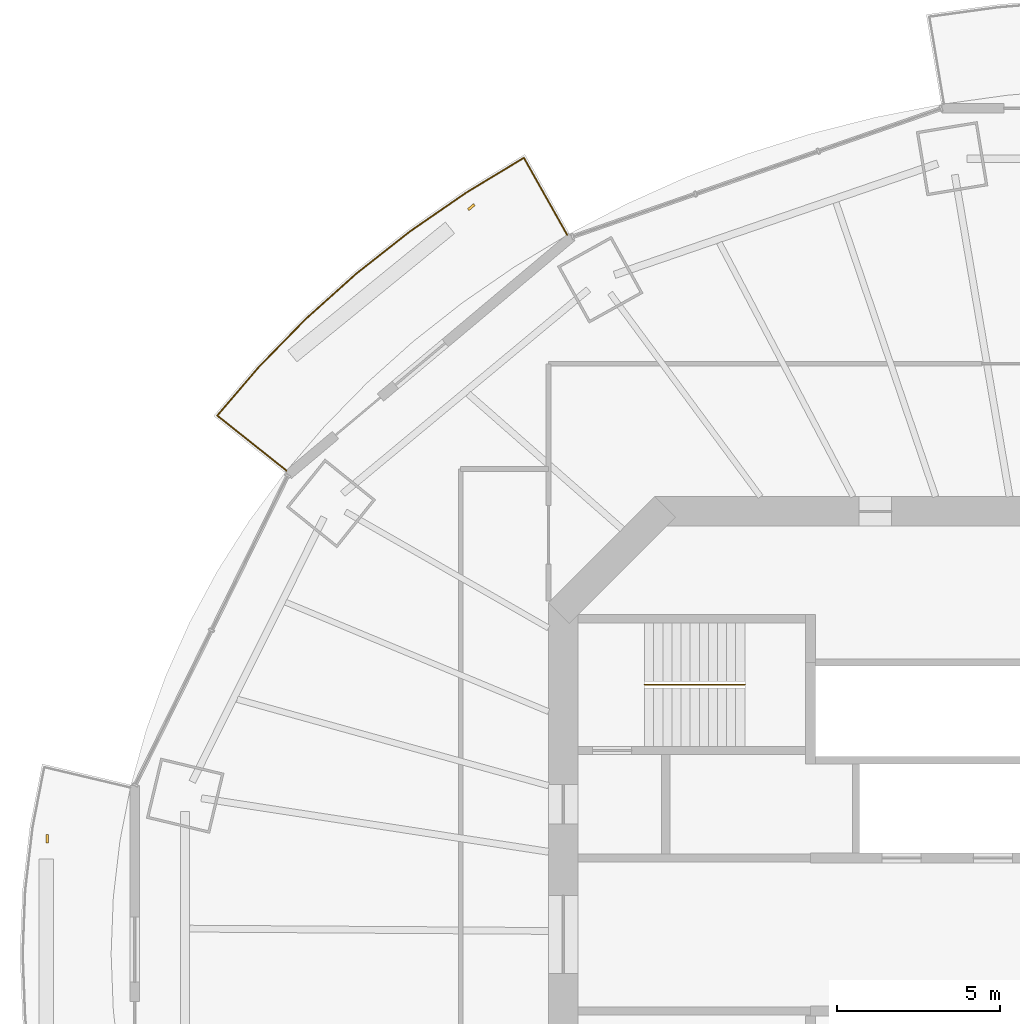
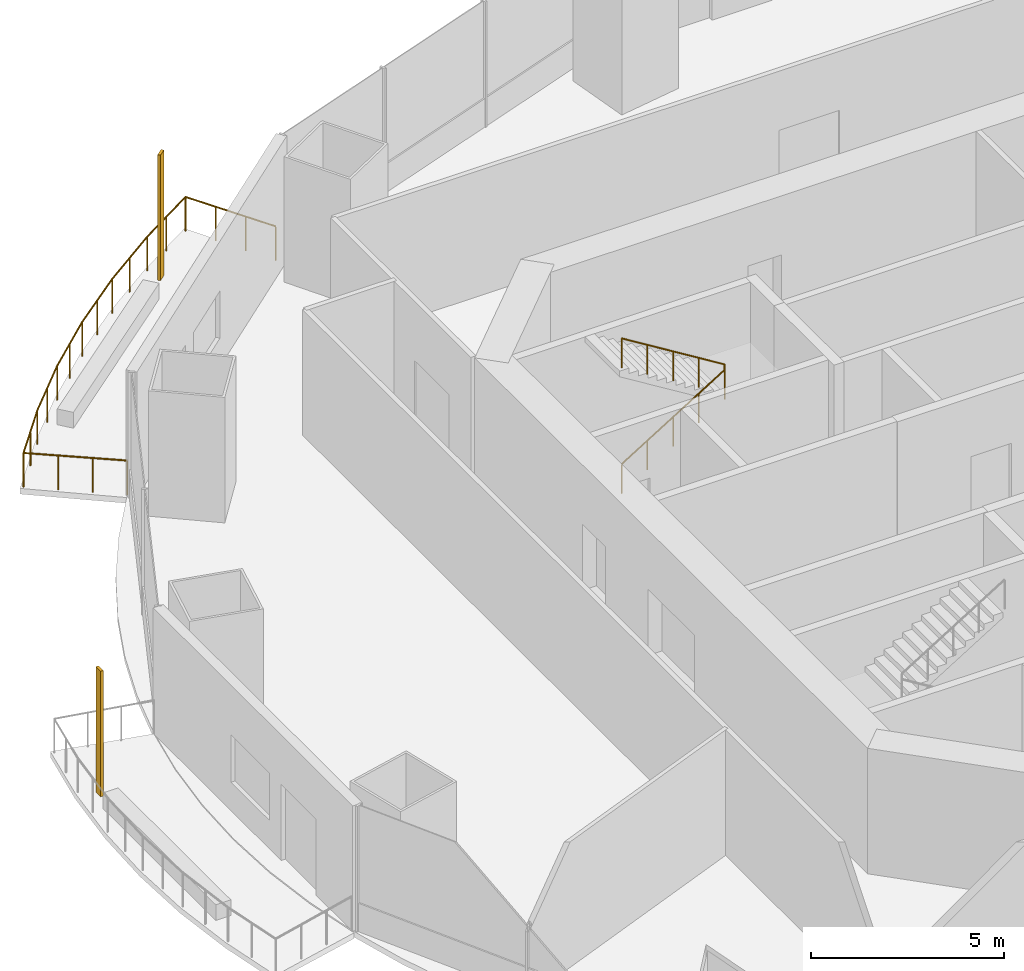
# One storey, part 18 of 21: 2 railings, 2 shading devices.
"""IFC4 building model written with IfcOpenShell, lengths in metres."""

from ifc_helpers import new_model, si_unit, direction, frame, origin, origin_2d, place, context, subcontext, project, spatial, rectangle, circle, extrude, material, material_profile, profile_set, type_object, element, save


model = new_model("IFC4")

# Units and contexts
model_context = context("Model", 3, precision=1e-05, world=origin(), true_north=direction((0.0, 1.0)))
body_context = subcontext(model_context, "Body", "Model", "MODEL_VIEW")
ifc_project = project(units=[si_unit("LENGTHUNIT", "METRE"), si_unit("AREAUNIT", "SQUARE_METRE"), si_unit("VOLUMEUNIT", "CUBIC_METRE"), si_unit("PLANEANGLEUNIT", "RADIAN"), si_unit("MASSUNIT", "GRAM", prefix="KILO")], contexts=[model_context])

# Site, building, storey
site_placement = place(None, origin())
site = spatial("IfcSite", under=ifc_project, at=site_placement, CompositionType="ELEMENT")
building_placement = place(site_placement, origin())
building = spatial("IfcBuilding", under=site, at=building_placement, Name="Marenthal Gate Tower", CompositionType="ELEMENT")
storey_placement = place(building_placement, frame((0.0, 0.0, 206.699951171875)))
storey = spatial("IfcBuildingStorey", under=building, at=storey_placement, Name="L45", CompositionType="ELEMENT", Elevation=206.699951171875)

# Railings
ifc_material_1 = material(Name="Stainless steel", Category="steel")
railing_type_1 = type_object("IfcRailingType", Name="Balcony guard 1100", PredefinedType="GUARDRAIL", material=ifc_material_1)
railing_1_placement = place(storey_placement, frame((-24.5009765625, 14.2490234375, 0.0)))
element("IfcRailing", 1, at=railing_1_placement, inside=storey, type_object=railing_type_1, Name="Balcony guard L45 bay 6", PredefinedType="GUARDRAIL", context=body_context, shape_type="SweptSolid", body=[
    extrude(circle(Radius=0.02392578125, at=origin_2d()), frame((0.0, 0.0, 1.076171875), z_axis=(-0.782732861269, 0.622183779773, -0.01471774699), x_axis=(-0.622251176983, -0.782817649739, 0.0)), (0.0, 0.0, 1.0), 2.720458984375),
    extrude(circle(Radius=0.02392578125, at=origin_2d()), frame((-2.12939453125, 1.692626953125, 1.0361328125), z_axis=(0.650106163754, 0.759843389028, 0.0), x_axis=(-0.759843389028, 0.650106163754, 0.0)), (0.0, 0.0, 1.0), 1.966796875),
    extrude(circle(Radius=0.02392578125, at=origin_2d()), frame((-0.850830078125, 3.18701171875, 1.0361328125), z_axis=(0.698897192243, 0.715222143585, 0.0), x_axis=(-0.715222143585, 0.698897192243, 0.0)), (0.0, 0.0, 1.0), 2.063720703125),
    extrude(circle(Radius=0.02392578125, at=origin_2d()), frame((0.591552734375, 4.6630859375, 1.0361328125), z_axis=(0.744476957646, 0.667648155494, 0.0), x_axis=(-0.667648155494, 0.744476957646, 0.0)), (0.0, 0.0, 1.0), 2.081298828125),
    extrude(circle(Radius=0.02392578125, at=origin_2d()), frame((2.14111328125, 6.052734375, 1.0361328125), z_axis=(0.785971142181, 0.618263183166, 0.0), x_axis=(-0.618263183166, 0.785971142181, 0.0)), (0.0, 0.0, 1.0), 2.09912109375),
    extrude(circle(Radius=0.02392578125, at=origin_2d()), frame((3.791015625, 7.3505859375, 1.0361328125), z_axis=(0.823307575665, 0.56759548611, 0.0), x_axis=(-0.56759548611, 0.823307575665, 0.0)), (0.0, 0.0, 1.0), 2.11669921875),
    extrude(circle(Radius=0.02392578125, at=origin_2d()), frame((5.53369140625, 8.552001953125, 1.0361328125), z_axis=(0.856221203989, 0.516609378389, 0.0), x_axis=(-0.516609378389, 0.856221203989, 0.0)), (0.0, 0.0, 1.0), 2.053955078125),
    extrude(circle(Radius=0.02392578125, at=origin_2d()), frame((7.292236328125, 9.613037109375, 1.0361328125), z_axis=(0.489585880475, -0.871830841967, 0.014718988891), x_axis=(0.871925297796, 0.48963892315, 0.0)), (0.0, 0.0, 1.0), 2.72021484375),
    extrude(circle(Radius=0.02099609375, at=origin_2d()), origin(), (0.0, 0.0, 1.0), 1.052001953125),
    extrude(circle(Radius=0.02099609375, at=origin_2d()), frame((-0.709716796875, 0.564208984375, -0.013427734375)), (0.0, 0.0, 1.0), 1.052001953125),
    extrude(circle(Radius=0.02099609375, at=origin_2d()), frame((-1.419677734375, 1.12841796875, -0.026611328125)), (0.0, 0.0, 1.0), 1.052001953125),
    extrude(circle(Radius=0.02099609375, at=origin_2d()), frame((-2.12939453125, 1.692626953125, -0.0400390625)), (0.0, 0.0, 1.0), 1.052001953125),
    extrude(circle(Radius=0.02099609375, at=origin_2d()), frame((-1.490234375, 2.43994140625, -0.0400390625)), (0.0, 0.0, 1.0), 1.052001953125),
    extrude(circle(Radius=0.02099609375, at=origin_2d()), frame((-0.850830078125, 3.18701171875, -0.0400390625)), (0.0, 0.0, 1.0), 1.052001953125),
    extrude(circle(Radius=0.02099609375, at=origin_2d()), frame((-0.129638671875, 3.925048828125, -0.0400390625)), (0.0, 0.0, 1.0), 1.052001953125),
    extrude(circle(Radius=0.02099609375, at=origin_2d()), frame((0.591552734375, 4.6630859375, -0.0400390625)), (0.0, 0.0, 1.0), 1.052001953125),
    extrude(circle(Radius=0.02099609375, at=origin_2d()), frame((1.3662109375, 5.35791015625, -0.0400390625)), (0.0, 0.0, 1.0), 1.052001953125),
    extrude(circle(Radius=0.02099609375, at=origin_2d()), frame((2.14111328125, 6.052734375, -0.0400390625)), (0.0, 0.0, 1.0), 1.052001953125),
    extrude(circle(Radius=0.02099609375, at=origin_2d()), frame((2.966064453125, 6.70166015625, -0.0400390625)), (0.0, 0.0, 1.0), 1.052001953125),
    extrude(circle(Radius=0.02099609375, at=origin_2d()), frame((3.791015625, 7.3505859375, -0.0400390625)), (0.0, 0.0, 1.0), 1.052001953125),
    extrude(circle(Radius=0.02099609375, at=origin_2d()), frame((4.662353515625, 7.951171875, -0.0400390625)), (0.0, 0.0, 1.0), 1.052001953125),
    extrude(circle(Radius=0.02099609375, at=origin_2d()), frame((5.53369140625, 8.552001953125, -0.0400390625)), (0.0, 0.0, 1.0), 1.052001953125),
    extrude(circle(Radius=0.02099609375, at=origin_2d()), frame((6.4130859375, 9.08251953125, -0.0400390625)), (0.0, 0.0, 1.0), 1.052001953125),
    extrude(circle(Radius=0.02099609375, at=origin_2d()), frame((7.292236328125, 9.613037109375, -0.0400390625)), (0.0, 0.0, 1.0), 1.052001953125),
    extrude(circle(Radius=0.02099609375, at=origin_2d()), frame((7.736083984375, 8.822509765625, -0.026611328125)), (0.0, 0.0, 1.0), 1.052001953125),
    extrude(circle(Radius=0.02099609375, at=origin_2d()), frame((8.18017578125, 8.031982421875, -0.013427734375)), (0.0, 0.0, 1.0), 1.052001953125),
    extrude(circle(Radius=0.02099609375, at=origin_2d()), frame((8.6240234375, 7.241455078125, 0.0)), (0.0, 0.0, 1.0), 1.052001953125),
])
ifc_material_2 = material(Name="Stainless steel", Category="steel")
railing_type_2 = type_object("IfcRailingType", Name="Stair handrail", PredefinedType="HANDRAIL", material=ifc_material_2)
railing_2_placement = place(storey_placement, frame((-13.5, 7.675048828125, 0.1728515625)))
element("IfcRailing", 2, at=railing_2_placement, inside=storey, type_object=railing_type_2, Name="Handrail ST1", PredefinedType="HANDRAIL", context=body_context, shape_type="SweptSolid", body=[
    extrude(circle(Radius=0.0224609375, at=origin_2d()), frame((0.0, 0.0, 0.927490234375), z_axis=(0.850835241893, 0.0, 0.525432575268), x_axis=(0.0, 1.0, 0.0)), (0.0, 0.0, 1.0), 3.6201171875),
    extrude(circle(Radius=0.0224609375, at=origin_2d()), frame((3.080078125, 0.0, 2.82958984375), z_axis=(0.0, 0.0, 1.0), x_axis=(1.0, 0.0, 0.0)), (0.0, 0.0, 1.0), 0.173095703125),
    extrude(circle(Radius=0.0224609375, at=origin_2d()), frame((3.080078125, 0.0, 3.002685546875), z_axis=(-0.850835241893, 0.0, 0.525432575268), x_axis=(0.0, -1.0, 0.0)), (0.0, 0.0, 1.0), 3.6201171875),
    extrude(circle(Radius=0.02001953125, at=origin_2d()), origin(), (0.0, 0.0, 1.0), 0.905029296875),
    extrude(circle(Radius=0.02001953125, at=origin_2d()), frame((0.77001953125, 0.0, 0.4755859375)), (0.0, 0.0, 1.0), 0.905029296875),
    extrude(circle(Radius=0.02001953125, at=origin_2d()), frame((1.5400390625, 0.0, 0.951171875)), (0.0, 0.0, 1.0), 0.905029296875),
    extrude(circle(Radius=0.02001953125, at=origin_2d()), frame((2.31005859375, 0.0, 1.426513671875)), (0.0, 0.0, 1.0), 0.905029296875),
    extrude(circle(Radius=0.02001953125, at=origin_2d()), frame((3.080078125, 0.0, 1.902099609375)), (0.0, 0.0, 1.0), 0.905029296875),
    extrude(circle(Radius=0.02001953125, at=origin_2d()), frame((3.080078125, 0.0, 2.0751953125)), (0.0, 0.0, 1.0), 0.905029296875),
    extrude(circle(Radius=0.02001953125, at=origin_2d()), frame((2.31005859375, 0.0, 2.55078125)), (0.0, 0.0, 1.0), 0.905029296875),
    extrude(circle(Radius=0.02001953125, at=origin_2d()), frame((1.5400390625, 0.0, 3.0263671875)), (0.0, 0.0, 1.0), 0.905029296875),
    extrude(circle(Radius=0.02001953125, at=origin_2d()), frame((0.77001953125, 0.0, 3.501708984375)), (0.0, 0.0, 1.0), 0.905029296875),
    extrude(circle(Radius=0.02001953125, at=origin_2d()), frame((0.0, 0.0, 3.977294921875)), (0.0, 0.0, 1.0), 0.905029296875),
])

# Shading devices
ifc_material_3 = material(Name="Terracotta", Category="masonry")
ifc_material_profile = material_profile(ifc_material_3, rectangle(XDim=0.25, YDim=0.080078125, at=origin_2d()), Name="Terracotta baguette 250x80")
ifc_profile_set = profile_set([ifc_material_profile], Name="Terracotta")
shading_device_type = type_object("IfcShadingDeviceType", Name="Terracotta BAGUETTE SCREEN 250x80", PredefinedType="USERDEFINED", material=ifc_profile_set)
for number, where, z_axis, x_axis, name in (
    (3, (-18.82421875, 22.34619140625, -0.0400390625), (0.0, 0.0, 1.0), (-0.765704864788, -0.643192086425, 0.0), "Terracotta BAGUETTE L45 bay 6L"),
    (4, (-31.860107421875, 2.937744140625, -0.0400390625), (0.0, 0.0, 1.0), (0.0, -1.0, 0.0), "Terracotta BAGUETTE L45 bay 8L"),
):
    element("IfcShadingDevice", number, at=place(storey_placement, frame(where, z_axis=z_axis, x_axis=x_axis)), inside=storey, type_object=shading_device_type, Name=name, ObjectType="BAGUETTE SCREEN", PredefinedType="USERDEFINED", context=body_context, shape_type="SweptSolid", body=[
        extrude(rectangle(XDim=0.25, YDim=0.080078125, at=origin_2d()), origin(), (0.0, 0.0, 1.0), 3.969970703125),
    ])

save(model, "model.ifc")
